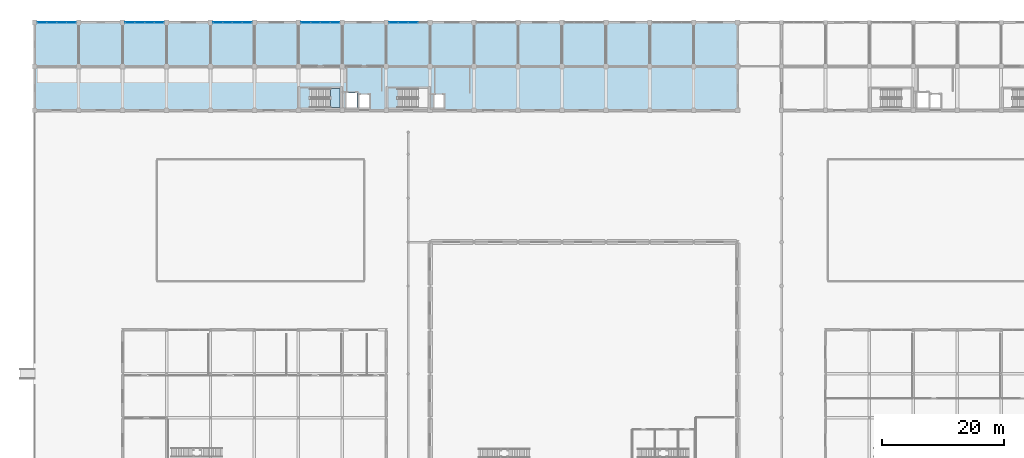
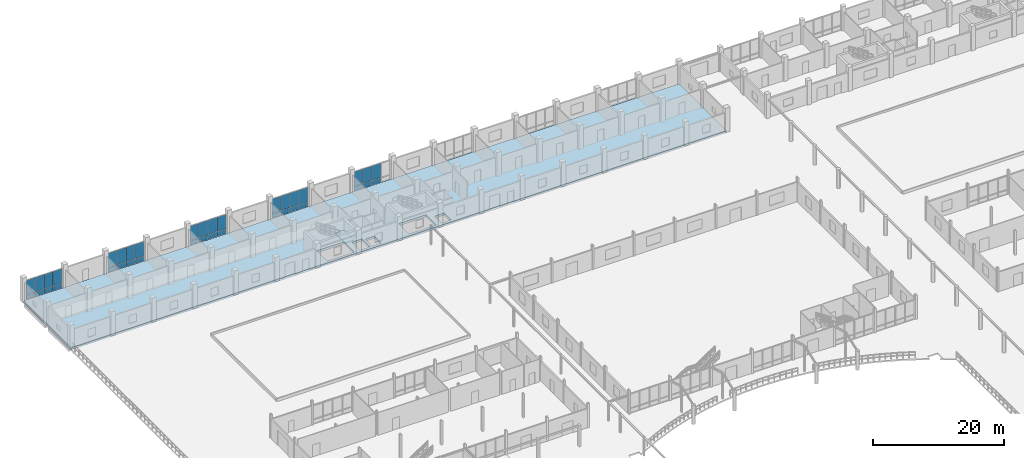
# One storey, part 105 of 139: 38 plates, 2 slabs, 6 elements without a shape of their own.
"""IFC4 building model written with IfcOpenShell, lengths in metres."""

from ifc_helpers import new_model, si_unit, direction, frame, origin, origin_2d, place, context, subcontext, project, spatial, polyline, rectangle, outline, extrude, material, layer, layer_set, type_object, element, aggregate, save


model = new_model("IFC4")

# Units and contexts
model_context = context("Model", 3, precision=1e-05, world=origin(), true_north=direction((0.0, 1.0)))
body_context = subcontext(model_context, "Body", "Model", "MODEL_VIEW")
ifc_project = project(units=[si_unit("LENGTHUNIT", "METRE"), si_unit("AREAUNIT", "SQUARE_METRE"), si_unit("VOLUMEUNIT", "CUBIC_METRE"), si_unit("PLANEANGLEUNIT", "RADIAN"), si_unit("MASSUNIT", "GRAM", prefix="KILO")], contexts=[model_context])

# Site, building, storey
site_placement = place(None, origin())
site = spatial("IfcSite", under=ifc_project, at=site_placement, CompositionType="ELEMENT")
building_placement = place(site_placement, origin())
building = spatial("IfcBuilding", under=site, at=building_placement, Name="Suanplinth Sawtooth Commons", CompositionType="ELEMENT")
storey_placement = place(building_placement, origin())
storey = spatial("IfcBuildingStorey", under=building, at=storey_placement, Name="L00", CompositionType="ELEMENT", Elevation=0.0)

# Curtain wall, plates
ifc_material_1 = material(Name="Anodized aluminium and low-E glazing", Category="aluminium")
curtain_wall_type = type_object("IfcCurtainWallType", Name="CW-04", PredefinedType="USERDEFINED", material=ifc_material_1)
curtain_wall_1_placement = place(storey_placement, origin())
curtain_wall_1 = element("IfcCurtainWall", 1, at=curtain_wall_1_placement, inside=storey, type_object=curtain_wall_type, Name="Curtain Wall CW-L00-A-N-0", ObjectType="CURTAIN WALL", PredefinedType="USERDEFINED")
ifc_material_2 = material(Name="Tempered low-E double glazing", Category="glass")
ifc_layer_1 = layer(ifc_material_2, 0.028076171875, Name="Vision low-E insulated glazing unit 28mm")
ifc_layer_set_1 = layer_set([ifc_layer_1], Name="Tempered low-E double glazing")
plate_type = type_object("IfcPlateType", Name="PL-05", PredefinedType="CURTAIN_PANEL", material=ifc_layer_set_1)
plate_1_placement = place(storey_placement, frame((1.21630859375, 122.39990234375, 0.06494140625), z_axis=(0.0, 0.0, 1.0), x_axis=(1.0, 0.0, 0.0)))
plate_1 = element("IfcPlate", 2, at=plate_1_placement, type_object=plate_type, Name="CW-04 panel 1.1", PredefinedType="CURTAIN_PANEL", context=body_context, shape_type="SweptSolid", body=[
    extrude(rectangle(XDim=1.50244140625, YDim=0.028076171875, at=origin_2d()), origin(), (0.0, 0.0, 1.0), 0.802490234375),
])
plate_2_placement = place(storey_placement, frame((1.21630859375, 122.39990234375, 0.932373046875), z_axis=(0.0, 0.0, 1.0), x_axis=(1.0, 0.0, 0.0)))
plate_2 = element("IfcPlate", 3, at=plate_2_placement, type_object=plate_type, Name="CW-04 panel 1.2", PredefinedType="CURTAIN_PANEL", context=body_context, shape_type="SweptSolid", body=[
    extrude(rectangle(XDim=1.50244140625, YDim=0.028076171875, at=origin_2d()), origin(), (0.0, 0.0, 1.0), 2.6826171875),
])
plate_3_placement = place(storey_placement, frame((2.800048828125, 122.39990234375, 0.06494140625), z_axis=(0.0, 0.0, 1.0), x_axis=(1.0, 0.0, 0.0)))
plate_3 = element("IfcPlate", 4, at=plate_3_placement, type_object=plate_type, Name="CW-04 panel 2.1", PredefinedType="CURTAIN_PANEL", context=body_context, shape_type="SweptSolid", body=[
    extrude(rectangle(XDim=1.534912109375, YDim=0.028076171875, at=origin_2d()), origin(), (0.0, 0.0, 1.0), 0.802490234375),
])
plate_4_placement = place(storey_placement, frame((2.800048828125, 122.39990234375, 0.932373046875), z_axis=(0.0, 0.0, 1.0), x_axis=(1.0, 0.0, 0.0)))
plate_4 = element("IfcPlate", 5, at=plate_4_placement, type_object=plate_type, Name="CW-04 panel 2.2", PredefinedType="CURTAIN_PANEL", context=body_context, shape_type="SweptSolid", body=[
    extrude(rectangle(XDim=1.534912109375, YDim=0.028076171875, at=origin_2d()), origin(), (0.0, 0.0, 1.0), 2.6826171875),
])
plate_5_placement = place(storey_placement, frame((4.39990234375, 122.39990234375, 0.06494140625), z_axis=(0.0, 0.0, 1.0), x_axis=(1.0, 0.0, 0.0)))
plate_5 = element("IfcPlate", 6, at=plate_5_placement, type_object=plate_type, Name="CW-04 panel 3.1", PredefinedType="CURTAIN_PANEL", context=body_context, shape_type="SweptSolid", body=[
    extrude(rectangle(XDim=1.534912109375, YDim=0.028076171875, at=origin_2d()), origin(), (0.0, 0.0, 1.0), 0.802490234375),
])
plate_6_placement = place(storey_placement, frame((4.39990234375, 122.39990234375, 0.932373046875), z_axis=(0.0, 0.0, 1.0), x_axis=(1.0, 0.0, 0.0)))
plate_6 = element("IfcPlate", 7, at=plate_6_placement, type_object=plate_type, Name="CW-04 panel 3.2", PredefinedType="CURTAIN_PANEL", context=body_context, shape_type="SweptSolid", body=[
    extrude(rectangle(XDim=1.534912109375, YDim=0.028076171875, at=origin_2d()), origin(), (0.0, 0.0, 1.0), 2.6826171875),
])
plate_7_placement = place(storey_placement, frame((5.983642578125, 122.39990234375, 0.06494140625), z_axis=(0.0, 0.0, 1.0), x_axis=(1.0, 0.0, 0.0)))
plate_7 = element("IfcPlate", 8, at=plate_7_placement, type_object=plate_type, Name="CW-04 panel 4.1", PredefinedType="CURTAIN_PANEL", context=body_context, shape_type="SweptSolid", body=[
    extrude(rectangle(XDim=1.50244140625, YDim=0.028076171875, at=origin_2d()), origin(), (0.0, 0.0, 1.0), 0.802490234375),
])
plate_8_placement = place(storey_placement, frame((5.983642578125, 122.39990234375, 0.932373046875), z_axis=(0.0, 0.0, 1.0), x_axis=(1.0, 0.0, 0.0)))
plate_8 = element("IfcPlate", 9, at=plate_8_placement, type_object=plate_type, Name="CW-04 panel 4.2", PredefinedType="CURTAIN_PANEL", context=body_context, shape_type="SweptSolid", body=[
    extrude(rectangle(XDim=1.50244140625, YDim=0.028076171875, at=origin_2d()), origin(), (0.0, 0.0, 1.0), 2.6826171875),
])
aggregate(curtain_wall_1, [plate_1, plate_2, plate_3, plate_4, plate_5, plate_6, plate_7, plate_8])

curtain_wall_2_placement = place(storey_placement, origin())
curtain_wall_2 = element("IfcCurtainWall", 10, at=curtain_wall_2_placement, inside=storey, type_object=curtain_wall_type, Name="Curtain Wall CW-L00-A-N-2", ObjectType="CURTAIN WALL", PredefinedType="USERDEFINED")
plate_9_placement = place(storey_placement, frame((15.6162109375, 122.39990234375, 0.06494140625), z_axis=(0.0, 0.0, 1.0), x_axis=(1.0, 0.0, 0.0)))
plate_9 = element("IfcPlate", 11, at=plate_9_placement, type_object=plate_type, Name="CW-04 panel 1.1", PredefinedType="CURTAIN_PANEL", context=body_context, shape_type="SweptSolid", body=[
    extrude(rectangle(XDim=1.50244140625, YDim=0.028076171875, at=origin_2d()), origin(), (0.0, 0.0, 1.0), 0.802490234375),
])
plate_10_placement = place(storey_placement, frame((15.6162109375, 122.39990234375, 0.932373046875), z_axis=(0.0, 0.0, 1.0), x_axis=(1.0, 0.0, 0.0)))
plate_10 = element("IfcPlate", 12, at=plate_10_placement, type_object=plate_type, Name="CW-04 panel 1.2", PredefinedType="CURTAIN_PANEL", context=body_context, shape_type="SweptSolid", body=[
    extrude(rectangle(XDim=1.50244140625, YDim=0.028076171875, at=origin_2d()), origin(), (0.0, 0.0, 1.0), 2.6826171875),
])
plate_11_placement = place(storey_placement, frame((17.199951171875, 122.39990234375, 0.06494140625), z_axis=(0.0, 0.0, 1.0), x_axis=(1.0, 0.0, 0.0)))
plate_11 = element("IfcPlate", 13, at=plate_11_placement, type_object=plate_type, Name="CW-04 panel 2.1", PredefinedType="CURTAIN_PANEL", context=body_context, shape_type="SweptSolid", body=[
    extrude(rectangle(XDim=1.534912109375, YDim=0.028076171875, at=origin_2d()), origin(), (0.0, 0.0, 1.0), 0.802490234375),
])
plate_12_placement = place(storey_placement, frame((17.199951171875, 122.39990234375, 0.932373046875), z_axis=(0.0, 0.0, 1.0), x_axis=(1.0, 0.0, 0.0)))
plate_12 = element("IfcPlate", 14, at=plate_12_placement, type_object=plate_type, Name="CW-04 panel 2.2", PredefinedType="CURTAIN_PANEL", context=body_context, shape_type="SweptSolid", body=[
    extrude(rectangle(XDim=1.534912109375, YDim=0.028076171875, at=origin_2d()), origin(), (0.0, 0.0, 1.0), 2.6826171875),
])
plate_13_placement = place(storey_placement, frame((18.800048828125, 122.39990234375, 0.06494140625), z_axis=(0.0, 0.0, 1.0), x_axis=(1.0, 0.0, 0.0)))
plate_13 = element("IfcPlate", 15, at=plate_13_placement, type_object=plate_type, Name="CW-04 panel 3.1", PredefinedType="CURTAIN_PANEL", context=body_context, shape_type="SweptSolid", body=[
    extrude(rectangle(XDim=1.534912109375, YDim=0.028076171875, at=origin_2d()), origin(), (0.0, 0.0, 1.0), 0.802490234375),
])
plate_14_placement = place(storey_placement, frame((18.800048828125, 122.39990234375, 0.932373046875), z_axis=(0.0, 0.0, 1.0), x_axis=(1.0, 0.0, 0.0)))
plate_14 = element("IfcPlate", 16, at=plate_14_placement, type_object=plate_type, Name="CW-04 panel 3.2", PredefinedType="CURTAIN_PANEL", context=body_context, shape_type="SweptSolid", body=[
    extrude(rectangle(XDim=1.534912109375, YDim=0.028076171875, at=origin_2d()), origin(), (0.0, 0.0, 1.0), 2.6826171875),
])
plate_15_placement = place(storey_placement, frame((20.3837890625, 122.39990234375, 0.06494140625), z_axis=(0.0, 0.0, 1.0), x_axis=(1.0, 0.0, 0.0)))
plate_15 = element("IfcPlate", 17, at=plate_15_placement, type_object=plate_type, Name="CW-04 panel 4.1", PredefinedType="CURTAIN_PANEL", context=body_context, shape_type="SweptSolid", body=[
    extrude(rectangle(XDim=1.50244140625, YDim=0.028076171875, at=origin_2d()), origin(), (0.0, 0.0, 1.0), 0.802490234375),
])
plate_16_placement = place(storey_placement, frame((20.3837890625, 122.39990234375, 0.932373046875), z_axis=(0.0, 0.0, 1.0), x_axis=(1.0, 0.0, 0.0)))
plate_16 = element("IfcPlate", 18, at=plate_16_placement, type_object=plate_type, Name="CW-04 panel 4.2", PredefinedType="CURTAIN_PANEL", context=body_context, shape_type="SweptSolid", body=[
    extrude(rectangle(XDim=1.50244140625, YDim=0.028076171875, at=origin_2d()), origin(), (0.0, 0.0, 1.0), 2.6826171875),
])
aggregate(curtain_wall_2, [plate_9, plate_10, plate_11, plate_12, plate_13, plate_14, plate_15, plate_16])

curtain_wall_3_placement = place(storey_placement, origin())
curtain_wall_3 = element("IfcCurtainWall", 19, at=curtain_wall_3_placement, inside=storey, type_object=curtain_wall_type, Name="Curtain Wall CW-L00-A-N-4", ObjectType="CURTAIN WALL", PredefinedType="USERDEFINED")
plate_17_placement = place(storey_placement, frame((30.016357421875, 122.39990234375, 0.06494140625), z_axis=(0.0, 0.0, 1.0), x_axis=(1.0, 0.0, 0.0)))
plate_17 = element("IfcPlate", 20, at=plate_17_placement, type_object=plate_type, Name="CW-04 panel 1.1", PredefinedType="CURTAIN_PANEL", context=body_context, shape_type="SweptSolid", body=[
    extrude(rectangle(XDim=1.50244140625, YDim=0.028076171875, at=origin_2d()), origin(), (0.0, 0.0, 1.0), 0.802490234375),
])
plate_18_placement = place(storey_placement, frame((30.016357421875, 122.39990234375, 0.932373046875), z_axis=(0.0, 0.0, 1.0), x_axis=(1.0, 0.0, 0.0)))
plate_18 = element("IfcPlate", 21, at=plate_18_placement, type_object=plate_type, Name="CW-04 panel 1.2", PredefinedType="CURTAIN_PANEL", context=body_context, shape_type="SweptSolid", body=[
    extrude(rectangle(XDim=1.50244140625, YDim=0.028076171875, at=origin_2d()), origin(), (0.0, 0.0, 1.0), 2.6826171875),
])
plate_19_placement = place(storey_placement, frame((31.60009765625, 122.39990234375, 0.06494140625), z_axis=(0.0, 0.0, 1.0), x_axis=(1.0, 0.0, 0.0)))
plate_19 = element("IfcPlate", 22, at=plate_19_placement, type_object=plate_type, Name="CW-04 panel 2.1", PredefinedType="CURTAIN_PANEL", context=body_context, shape_type="SweptSolid", body=[
    extrude(rectangle(XDim=1.534912109375, YDim=0.028076171875, at=origin_2d()), origin(), (0.0, 0.0, 1.0), 0.802490234375),
])
plate_20_placement = place(storey_placement, frame((31.60009765625, 122.39990234375, 0.932373046875), z_axis=(0.0, 0.0, 1.0), x_axis=(1.0, 0.0, 0.0)))
plate_20 = element("IfcPlate", 23, at=plate_20_placement, type_object=plate_type, Name="CW-04 panel 2.2", PredefinedType="CURTAIN_PANEL", context=body_context, shape_type="SweptSolid", body=[
    extrude(rectangle(XDim=1.534912109375, YDim=0.028076171875, at=origin_2d()), origin(), (0.0, 0.0, 1.0), 2.6826171875),
])
plate_21_placement = place(storey_placement, frame((33.199951171875, 122.39990234375, 0.06494140625), z_axis=(0.0, 0.0, 1.0), x_axis=(1.0, 0.0, 0.0)))
plate_21 = element("IfcPlate", 24, at=plate_21_placement, type_object=plate_type, Name="CW-04 panel 3.1", PredefinedType="CURTAIN_PANEL", context=body_context, shape_type="SweptSolid", body=[
    extrude(rectangle(XDim=1.534912109375, YDim=0.028076171875, at=origin_2d()), origin(), (0.0, 0.0, 1.0), 0.802490234375),
])
plate_22_placement = place(storey_placement, frame((33.199951171875, 122.39990234375, 0.932373046875), z_axis=(0.0, 0.0, 1.0), x_axis=(1.0, 0.0, 0.0)))
plate_22 = element("IfcPlate", 25, at=plate_22_placement, type_object=plate_type, Name="CW-04 panel 3.2", PredefinedType="CURTAIN_PANEL", context=body_context, shape_type="SweptSolid", body=[
    extrude(rectangle(XDim=1.534912109375, YDim=0.028076171875, at=origin_2d()), origin(), (0.0, 0.0, 1.0), 2.6826171875),
])
plate_23_placement = place(storey_placement, frame((34.78369140625, 122.39990234375, 0.06494140625), z_axis=(0.0, 0.0, 1.0), x_axis=(1.0, 0.0, 0.0)))
plate_23 = element("IfcPlate", 26, at=plate_23_placement, type_object=plate_type, Name="CW-04 panel 4.1", PredefinedType="CURTAIN_PANEL", context=body_context, shape_type="SweptSolid", body=[
    extrude(rectangle(XDim=1.50244140625, YDim=0.028076171875, at=origin_2d()), origin(), (0.0, 0.0, 1.0), 0.802490234375),
])
plate_24_placement = place(storey_placement, frame((34.78369140625, 122.39990234375, 0.932373046875), z_axis=(0.0, 0.0, 1.0), x_axis=(1.0, 0.0, 0.0)))
plate_24 = element("IfcPlate", 27, at=plate_24_placement, type_object=plate_type, Name="CW-04 panel 4.2", PredefinedType="CURTAIN_PANEL", context=body_context, shape_type="SweptSolid", body=[
    extrude(rectangle(XDim=1.50244140625, YDim=0.028076171875, at=origin_2d()), origin(), (0.0, 0.0, 1.0), 2.6826171875),
])
aggregate(curtain_wall_3, [plate_17, plate_18, plate_19, plate_20, plate_21, plate_22, plate_23, plate_24])

curtain_wall_4_placement = place(storey_placement, origin())
curtain_wall_4 = element("IfcCurtainWall", 28, at=curtain_wall_4_placement, inside=storey, type_object=curtain_wall_type, Name="Curtain Wall CW-L00-A-N-6", ObjectType="CURTAIN WALL", PredefinedType="USERDEFINED")
plate_25_placement = place(storey_placement, frame((44.416259765625, 122.39990234375, 0.06494140625), z_axis=(0.0, 0.0, 1.0), x_axis=(1.0, 0.0, 0.0)))
plate_25 = element("IfcPlate", 29, at=plate_25_placement, type_object=plate_type, Name="CW-04 panel 1.1", PredefinedType="CURTAIN_PANEL", context=body_context, shape_type="SweptSolid", body=[
    extrude(rectangle(XDim=1.50244140625, YDim=0.028076171875, at=origin_2d()), origin(), (0.0, 0.0, 1.0), 0.802490234375),
])
plate_26_placement = place(storey_placement, frame((44.416259765625, 122.39990234375, 0.932373046875), z_axis=(0.0, 0.0, 1.0), x_axis=(1.0, 0.0, 0.0)))
plate_26 = element("IfcPlate", 30, at=plate_26_placement, type_object=plate_type, Name="CW-04 panel 1.2", PredefinedType="CURTAIN_PANEL", context=body_context, shape_type="SweptSolid", body=[
    extrude(rectangle(XDim=1.50244140625, YDim=0.028076171875, at=origin_2d()), origin(), (0.0, 0.0, 1.0), 2.6826171875),
])
plate_27_placement = place(storey_placement, frame((46.0, 122.39990234375, 0.06494140625), z_axis=(0.0, 0.0, 1.0), x_axis=(1.0, 0.0, 0.0)))
plate_27 = element("IfcPlate", 31, at=plate_27_placement, type_object=plate_type, Name="CW-04 panel 2.1", PredefinedType="CURTAIN_PANEL", context=body_context, shape_type="SweptSolid", body=[
    extrude(rectangle(XDim=1.534912109375, YDim=0.028076171875, at=origin_2d()), origin(), (0.0, 0.0, 1.0), 0.802490234375),
])
plate_28_placement = place(storey_placement, frame((46.0, 122.39990234375, 0.932373046875), z_axis=(0.0, 0.0, 1.0), x_axis=(1.0, 0.0, 0.0)))
plate_28 = element("IfcPlate", 32, at=plate_28_placement, type_object=plate_type, Name="CW-04 panel 2.2", PredefinedType="CURTAIN_PANEL", context=body_context, shape_type="SweptSolid", body=[
    extrude(rectangle(XDim=1.534912109375, YDim=0.028076171875, at=origin_2d()), origin(), (0.0, 0.0, 1.0), 2.6826171875),
])
plate_29_placement = place(storey_placement, frame((47.60009765625, 122.39990234375, 0.06494140625), z_axis=(0.0, 0.0, 1.0), x_axis=(1.0, 0.0, 0.0)))
plate_29 = element("IfcPlate", 33, at=plate_29_placement, type_object=plate_type, Name="CW-04 panel 3.1", PredefinedType="CURTAIN_PANEL", context=body_context, shape_type="SweptSolid", body=[
    extrude(rectangle(XDim=1.534912109375, YDim=0.028076171875, at=origin_2d()), origin(), (0.0, 0.0, 1.0), 0.802490234375),
])
plate_30_placement = place(storey_placement, frame((47.60009765625, 122.39990234375, 0.932373046875), z_axis=(0.0, 0.0, 1.0), x_axis=(1.0, 0.0, 0.0)))
plate_30 = element("IfcPlate", 34, at=plate_30_placement, type_object=plate_type, Name="CW-04 panel 3.2", PredefinedType="CURTAIN_PANEL", context=body_context, shape_type="SweptSolid", body=[
    extrude(rectangle(XDim=1.534912109375, YDim=0.028076171875, at=origin_2d()), origin(), (0.0, 0.0, 1.0), 2.6826171875),
])
plate_31_placement = place(storey_placement, frame((49.183837890625, 122.39990234375, 0.06494140625), z_axis=(0.0, 0.0, 1.0), x_axis=(1.0, 0.0, 0.0)))
plate_31 = element("IfcPlate", 35, at=plate_31_placement, type_object=plate_type, Name="CW-04 panel 4.1", PredefinedType="CURTAIN_PANEL", context=body_context, shape_type="SweptSolid", body=[
    extrude(rectangle(XDim=1.50244140625, YDim=0.028076171875, at=origin_2d()), origin(), (0.0, 0.0, 1.0), 0.802490234375),
])
plate_32_placement = place(storey_placement, frame((49.183837890625, 122.39990234375, 0.932373046875), z_axis=(0.0, 0.0, 1.0), x_axis=(1.0, 0.0, 0.0)))
plate_32 = element("IfcPlate", 36, at=plate_32_placement, type_object=plate_type, Name="CW-04 panel 4.2", PredefinedType="CURTAIN_PANEL", context=body_context, shape_type="SweptSolid", body=[
    extrude(rectangle(XDim=1.50244140625, YDim=0.028076171875, at=origin_2d()), origin(), (0.0, 0.0, 1.0), 2.6826171875),
])
aggregate(curtain_wall_4, [plate_25, plate_26, plate_27, plate_28, plate_29, plate_30, plate_31, plate_32])

curtain_wall_5_placement = place(storey_placement, origin())
curtain_wall_5 = element("IfcCurtainWall", 37, at=curtain_wall_5_placement, inside=storey, type_object=curtain_wall_type, Name="Curtain Wall CW-L00-A-N-8", ObjectType="CURTAIN WALL", PredefinedType="USERDEFINED")
plate_33_placement = place(storey_placement, frame((58.816162109375, 122.39990234375, 0.06494140625), z_axis=(0.0, 0.0, 1.0), x_axis=(1.0, 0.0, 0.0)))
plate_33 = element("IfcPlate", 38, at=plate_33_placement, type_object=plate_type, Name="CW-04 panel 1.1", PredefinedType="CURTAIN_PANEL", context=body_context, shape_type="SweptSolid", body=[
    extrude(rectangle(XDim=1.50244140625, YDim=0.028076171875, at=origin_2d()), origin(), (0.0, 0.0, 1.0), 0.802490234375),
])
plate_34_placement = place(storey_placement, frame((58.816162109375, 122.39990234375, 0.932373046875), z_axis=(0.0, 0.0, 1.0), x_axis=(1.0, 0.0, 0.0)))
plate_34 = element("IfcPlate", 39, at=plate_34_placement, type_object=plate_type, Name="CW-04 panel 1.2", PredefinedType="CURTAIN_PANEL", context=body_context, shape_type="SweptSolid", body=[
    extrude(rectangle(XDim=1.50244140625, YDim=0.028076171875, at=origin_2d()), origin(), (0.0, 0.0, 1.0), 2.6826171875),
])
plate_35_placement = place(storey_placement, frame((60.39990234375, 122.39990234375, 0.06494140625), z_axis=(0.0, 0.0, 1.0), x_axis=(1.0, 0.0, 0.0)))
plate_35 = element("IfcPlate", 40, at=plate_35_placement, type_object=plate_type, Name="CW-04 panel 2.1", PredefinedType="CURTAIN_PANEL", context=body_context, shape_type="SweptSolid", body=[
    extrude(rectangle(XDim=1.534912109375, YDim=0.028076171875, at=origin_2d()), origin(), (0.0, 0.0, 1.0), 0.802490234375),
])
plate_36_placement = place(storey_placement, frame((60.39990234375, 122.39990234375, 0.932373046875), z_axis=(0.0, 0.0, 1.0), x_axis=(1.0, 0.0, 0.0)))
plate_36 = element("IfcPlate", 41, at=plate_36_placement, type_object=plate_type, Name="CW-04 panel 2.2", PredefinedType="CURTAIN_PANEL", context=body_context, shape_type="SweptSolid", body=[
    extrude(rectangle(XDim=1.534912109375, YDim=0.028076171875, at=origin_2d()), origin(), (0.0, 0.0, 1.0), 2.6826171875),
])
plate_37_placement = place(storey_placement, frame((62.0, 122.39990234375, 0.06494140625), z_axis=(0.0, 0.0, 1.0), x_axis=(1.0, 0.0, 0.0)))
plate_37 = element("IfcPlate", 42, at=plate_37_placement, type_object=plate_type, Name="CW-04 panel 3.1", PredefinedType="CURTAIN_PANEL", context=body_context, shape_type="SweptSolid", body=[
    extrude(rectangle(XDim=1.534912109375, YDim=0.028076171875, at=origin_2d()), origin(), (0.0, 0.0, 1.0), 0.802490234375),
])
plate_38_placement = place(storey_placement, frame((62.0, 122.39990234375, 0.932373046875), z_axis=(0.0, 0.0, 1.0), x_axis=(1.0, 0.0, 0.0)))
plate_38 = element("IfcPlate", 43, at=plate_38_placement, type_object=plate_type, Name="CW-04 panel 3.2", PredefinedType="CURTAIN_PANEL", context=body_context, shape_type="SweptSolid", body=[
    extrude(rectangle(XDim=1.534912109375, YDim=0.028076171875, at=origin_2d()), origin(), (0.0, 0.0, 1.0), 2.6826171875),
])
aggregate(curtain_wall_5, [plate_33, plate_34, plate_35, plate_36, plate_37, plate_38])

# Stair, slab
ifc_material_3 = material(Name="Concrete C40/50", Category="concrete")
stair_type = type_object("IfcStairType", Name="ST-02", PredefinedType="USERDEFINED", material=ifc_material_3)
stair_placement = place(storey_placement, origin())
stair = element("IfcStair", 44, at=stair_placement, inside=storey, type_object=stair_type, Name="L00 Exit Stair ST-N1", ObjectType="TWO_RETURN_STAIR", PredefinedType="USERDEFINED")
ifc_layer_2 = layer(ifc_material_3, 0.199951171875, Name="Reinforced concrete stair and ramp landing slab 200mm")
ifc_layer_set_2 = layer_set([ifc_layer_2], Name="Concrete C40/50")
slab_type_1 = type_object("IfcSlabType", Name="S-LD01", PredefinedType="LANDING", material=ifc_layer_set_2)
slab_1_placement = place(storey_placement, frame((0.0, 0.0, 2.050048828125)))
slab_1 = element("IfcSlab", 45, at=slab_1_placement, type_object=slab_type_1, Name="ST-02 landing 1", PredefinedType="LANDING", context=body_context, shape_type="SweptSolid", body=[
    extrude(outline(polyline([(48.469970703125, 108.449951171875), (50.050048828125, 108.449951171875), (50.050048828125, 111.550048828125), (48.469970703125, 111.550048828125), (48.469970703125, 108.449951171875)])), origin(), (0.0, 0.0, 1.0), 0.199951171875),
])
aggregate(stair, [slab_1])

# Slab
ifc_layer_3 = layer(ifc_material_3, 0.409912109375, Name="Ground flood-plinth RC floor slab 410mm")
ifc_layer_set_3 = layer_set([ifc_layer_3], Name="Concrete C40/50")
slab_type_2 = type_object("IfcSlabType", Name="S-PL01", PredefinedType="FLOOR", material=ifc_layer_set_3)
slab_2_placement = place(storey_placement, frame((0.0, 0.0, -0.409912109375)))
element("IfcSlab", 46, at=slab_2_placement, inside=storey, type_object=slab_type_2, Name="L00 Block A Structural Floor Plate", PredefinedType="FLOOR", context=body_context, shape_type="SweptSolid", body=[
    extrude(outline(polyline([(0.0, 108.0), (115.199951171875, 108.0), (115.199951171875, 122.39990234375), (0.0, 122.39990234375), (0.0, 108.0)]), holes=[polyline([(45.2900390625, 108.449951171875), (50.050048828125, 108.449951171875), (50.050048828125, 111.550048828125), (45.2900390625, 111.550048828125), (45.2900390625, 108.449951171875)]), polyline([(51.050048828125, 108.449951171875), (52.85009765625, 108.449951171875), (52.85009765625, 110.85009765625), (51.050048828125, 110.85009765625), (51.050048828125, 108.449951171875)]), polyline([(53.199951171875, 108.449951171875), (54.800048828125, 108.449951171875), (54.800048828125, 110.550048828125), (53.199951171875, 110.550048828125), (53.199951171875, 108.449951171875)]), polyline([(59.68994140625, 108.449951171875), (64.449951171875, 108.449951171875), (64.449951171875, 111.550048828125), (59.68994140625, 111.550048828125), (59.68994140625, 108.449951171875)]), polyline([(65.449951171875, 108.449951171875), (67.050048828125, 108.449951171875), (67.050048828125, 110.550048828125), (65.449951171875, 110.550048828125), (65.449951171875, 108.449951171875)])]), origin(), (0.0, 0.0, 1.0), 0.409912109375),
])

save(model, "model.ifc")
